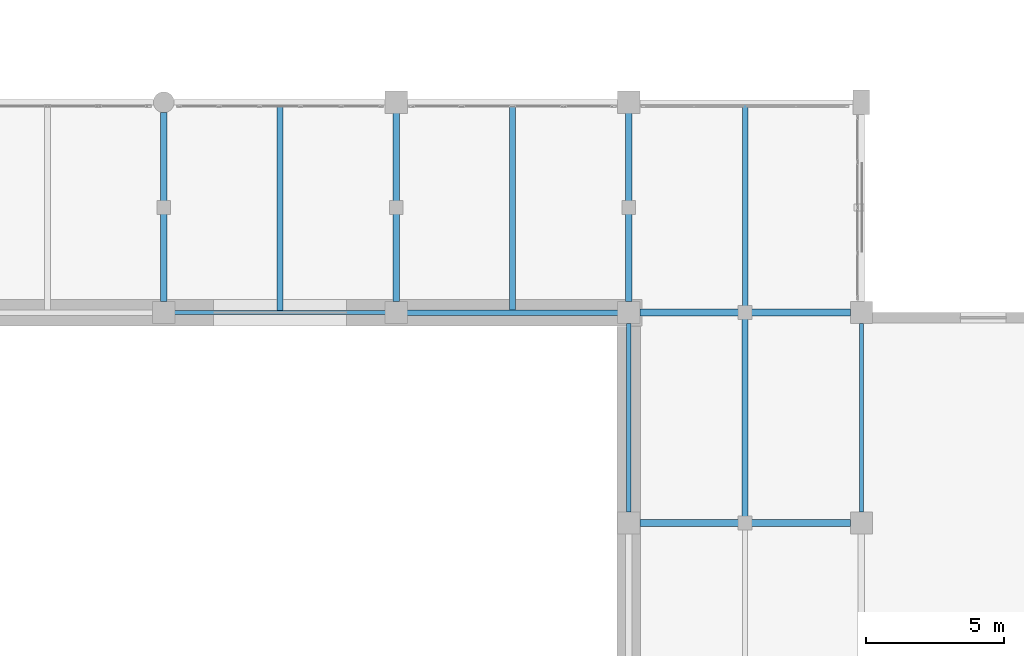
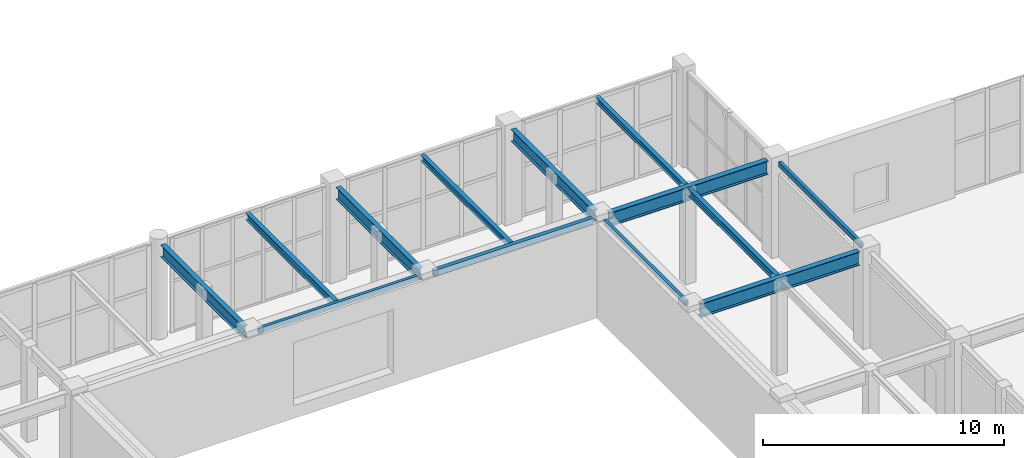
# One storey, part 65 of 128: 13 beams.
"""IFC4 building model written with IfcOpenShell, lengths in metres."""

from ifc_helpers import new_model, si_unit, direction, frame, origin, origin_2d, place, context, subcontext, project, spatial, hollow_rectangle, i_section, extrude, material, material_profile, profile_set, type_object, element, save


model = new_model("IFC4")

# Units and contexts
model_context = context("Model", 3, precision=1e-05, world=origin(), true_north=direction((0.0, 1.0)))
body_context = subcontext(model_context, "Body", "Model", "MODEL_VIEW")
ifc_project = project(units=[si_unit("LENGTHUNIT", "METRE"), si_unit("AREAUNIT", "SQUARE_METRE"), si_unit("VOLUMEUNIT", "CUBIC_METRE"), si_unit("PLANEANGLEUNIT", "RADIAN"), si_unit("MASSUNIT", "GRAM", prefix="KILO")], contexts=[model_context])

# Site, building, storey
site_placement = place(None, origin())
site = spatial("IfcSite", under=ifc_project, at=site_placement, CompositionType="ELEMENT")
building_placement = place(site_placement, origin())
building = spatial("IfcBuilding", under=site, at=building_placement, Name="Xicomal Pleat Aquarium", CompositionType="ELEMENT")
storey_placement = place(building_placement, frame((0.0, 0.0, 5.39990234375)))
storey = spatial("IfcBuildingStorey", under=building, at=storey_placement, Name="L02", CompositionType="ELEMENT", Elevation=5.39990234375)

# Beams
ifc_material_1 = material(Name="Structural steel A992 Gr 50", Category="steel")
ifc_material_profile_1 = material_profile(ifc_material_1, i_section(OverallWidth=0.202880859375, OverallDepth=0.302978515625, WebThickness=0.007568359375, FlangeThickness=0.01318359375, at=origin_2d()), Name="IR 310x60")
ifc_profile_set_1 = profile_set([ifc_material_profile_1], Name="Structural steel A992 Gr 50")
beam_type_1 = type_object("IfcBeamType", Name="BM-STL-IR310", PredefinedType="JOIST", material=ifc_profile_set_1)
beam_1_placement = place(storey_placement, frame((81.60009765625, 76.10302734375, 4.668701171875), z_axis=(0.0, 1.0, 0.0), x_axis=(-1.0, 0.0, 0.0)))
element("IfcBeam", 1, at=beam_1_placement, inside=storey, type_object=beam_type_1, Name="L02 framing beam FBJ-L02-10-L-1", PredefinedType="JOIST", context=body_context, shape_type="SweptSolid", body=[
    extrude(i_section(OverallWidth=0.202880859375, OverallDepth=0.302978515625, WebThickness=0.007568359375, FlangeThickness=0.01318359375, at=origin_2d()), origin(), (0.0, 0.0, 1.0), 7.39404296875),
])
beam_2_placement = place(storey_placement, frame((90.0, 76.131103515625, 4.668701171875), z_axis=(0.0, 1.0, 0.0), x_axis=(-1.0, 0.0, 0.0)))
element("IfcBeam", 2, at=beam_2_placement, inside=storey, type_object=beam_type_1, Name="L02 framing beam FBJ-L02-11-L-1", PredefinedType="JOIST", context=body_context, shape_type="SweptSolid", body=[
    extrude(i_section(OverallWidth=0.202880859375, OverallDepth=0.302978515625, WebThickness=0.007568359375, FlangeThickness=0.01318359375, at=origin_2d()), origin(), (0.0, 0.0, 1.0), 7.390869140625),
])
ifc_material_2 = material(Name="Structural steel A992 Gr 50", Category="steel")
ifc_material_profile_2 = material_profile(ifc_material_2, i_section(OverallWidth=0.205078125, OverallDepth=0.35400390625, WebThickness=0.009521484375, FlangeThickness=0.016845703125, at=origin_2d()), Name="IR 360x79")
ifc_profile_set_2 = profile_set([ifc_material_profile_2], Name="Structural steel A992 Gr 50")
beam_type_2 = type_object("IfcBeamType", Name="BM-STL-IR360", PredefinedType="JOIST", material=ifc_profile_set_2)
beam_3_placement = place(storey_placement, frame((73.199951171875, 76.077880859375, 4.64306640625), z_axis=(0.0, 1.0, 0.0), x_axis=(-1.0, 0.0, 0.0)))
element("IfcBeam", 3, at=beam_3_placement, inside=storey, type_object=beam_type_2, Name="L02 framing beam FBJ-L02-09-L-1", PredefinedType="JOIST", context=body_context, shape_type="SweptSolid", body=[
    extrude(i_section(OverallWidth=0.205078125, OverallDepth=0.35400390625, WebThickness=0.009521484375, FlangeThickness=0.016845703125, at=origin_2d()), origin(), (0.0, 0.0, 1.0), 7.422119140625),
])
beam_4_placement = place(storey_placement, frame((90.0, 68.531005859375, 4.64306640625), z_axis=(0.0, 1.0, 0.0), x_axis=(-1.0, 0.0, 0.0)))
element("IfcBeam", 4, at=beam_4_placement, inside=storey, type_object=beam_type_2, Name="L02 framing beam FBJ-L02-11-K-1", PredefinedType="JOIST", context=body_context, shape_type="SweptSolid", body=[
    extrude(i_section(OverallWidth=0.205078125, OverallDepth=0.35400390625, WebThickness=0.009521484375, FlangeThickness=0.016845703125, at=origin_2d()), origin(), (0.0, 0.0, 1.0), 7.337890625),
])
ifc_material_3 = material(Name="Structural steel A992 Gr 50", Category="steel")
ifc_material_profile_3 = material_profile(ifc_material_3, i_section(OverallWidth=0.22998046875, OverallDepth=0.616943359375, WebThickness=0.01318359375, FlangeThickness=0.022216796875, at=origin_2d()), Name="IR 610x140")
ifc_profile_set_3 = profile_set([ifc_material_profile_3], Name="Structural steel A992 Gr 50")
beam_type_3 = type_object("IfcBeamType", Name="BM-STL-IR610", PredefinedType="BEAM", material=ifc_profile_set_3)
beam_5_placement = place(storey_placement, frame((69.0, 76.39501953125, 4.51171875), z_axis=(0.0, 1.0, 0.0), x_axis=(-1.0, 0.0, 0.0)))
element("IfcBeam", 5, at=beam_5_placement, inside=storey, type_object=beam_type_3, Name="L02 framing beam FGY-L02-09-L-M", PredefinedType="BEAM", context=body_context, shape_type="SweptSolid", body=[
    extrude(i_section(OverallWidth=0.22998046875, OverallDepth=0.616943359375, WebThickness=0.01318359375, FlangeThickness=0.022216796875, at=origin_2d()), origin(), (0.0, 0.0, 1.0), 6.8349609375),
])
for number, where, z_axis, x_axis, name in (
    (6, (77.39990234375, 76.39501953125, 4.51171875), (0.0, 1.0, 0.0), (-1.0, 0.0, 0.0), "L02 framing beam FGY-L02-10-L-M"),
    (7, (85.800048828125, 76.39501953125, 4.51171875), (0.0, 1.0, 0.0), (-1.0, 0.0, 0.0), "L02 framing beam FGY-L02-11-L-M"),
):
    element("IfcBeam", number, at=place(storey_placement, frame(where, z_axis=z_axis, x_axis=x_axis)), inside=storey, type_object=beam_type_3, Name=name, PredefinedType="BEAM", context=body_context, shape_type="SweptSolid", body=[
        extrude(i_section(OverallWidth=0.22998046875, OverallDepth=0.616943359375, WebThickness=0.01318359375, FlangeThickness=0.022216796875, at=origin_2d()), origin(), (0.0, 0.0, 1.0), 6.81005859375),
    ])
ifc_material_4 = material(Name="Structural steel A992 Gr 50", Category="steel")
ifc_material_profile_4 = material_profile(ifc_material_4, i_section(OverallWidth=0.256103515625, OverallDepth=0.693115234375, WebThickness=0.014404296875, FlangeThickness=0.023681640625, at=origin_2d()), Name="IR 690x170")
ifc_profile_set_4 = profile_set([ifc_material_profile_4], Name="Structural steel A992 Gr 50")
beam_type_4 = type_object("IfcBeamType", Name="BM-STL-IR690", PredefinedType="BEAM", material=ifc_profile_set_4)
for number, where, z_axis, x_axis, name in (
    (8, (86.195068359375, 68.39990234375, 4.4736328125), (1.0, 0.0, 0.0), (0.0, 1.0, 0.0), "L02 framing beam FGX-L02-11-12-K"),
    (9, (86.195068359375, 76.0, 4.4736328125), (1.0, 0.0, 0.0), (0.0, 1.0, 0.0), "L02 framing beam FGX-L02-11-12-L"),
):
    element("IfcBeam", number, at=place(storey_placement, frame(where, z_axis=z_axis, x_axis=x_axis)), inside=storey, type_object=beam_type_4, Name=name, PredefinedType="BEAM", context=body_context, shape_type="SweptSolid", body=[
        extrude(i_section(OverallWidth=0.256103515625, OverallDepth=0.693115234375, WebThickness=0.014404296875, FlangeThickness=0.023681640625, at=origin_2d()), origin(), (0.0, 0.0, 1.0), 7.60986328125),
    ])
ifc_material_5 = material(Name="Structural steel A500 Gr C", Category="steel")
ifc_material_profile_5 = material_profile(ifc_material_5, hollow_rectangle(XDim=0.14990234375, YDim=0.25, WallThickness=0.010009765625, at=origin_2d()), Name="OR 250x150x10")
ifc_profile_set_5 = profile_set([ifc_material_profile_5], Name="Structural steel A500 Gr C")
beam_type_5 = type_object("IfcBeamType", Name="BM-STL-OR250", PredefinedType="SPANDREL", material=ifc_profile_set_5)
beam_6_placement = place(storey_placement, frame((69.39501953125, 76.0, 4.695068359375), z_axis=(1.0, 0.0, 0.0), x_axis=(0.0, 1.0, 0.0)))
element("IfcBeam", 10, at=beam_6_placement, inside=storey, type_object=beam_type_5, Name="L02 framing beam FGX-L02-09-10-L", PredefinedType="SPANDREL", context=body_context, shape_type="SweptSolid", body=[
    extrude(hollow_rectangle(XDim=0.14990234375, YDim=0.25, WallThickness=0.010009765625, at=origin_2d()), origin(), (0.0, 0.0, 1.0), 7.60986328125),
])
for number, where, z_axis, x_axis, name in (
    (11, (85.800048828125, 68.794921875, 4.695068359375), (0.0, 1.0, 0.0), (-1.0, 0.0, 0.0), "L02 framing beam FGY-L02-11-K-L"),
    (12, (94.199951171875, 68.794921875, 4.695068359375), (0.0, 1.0, 0.0), (-1.0, 0.0, 0.0), "L02 framing beam FGY-L02-12-K-L"),
):
    element("IfcBeam", number, at=place(storey_placement, frame(where, z_axis=z_axis, x_axis=x_axis)), inside=storey, type_object=beam_type_5, Name=name, PredefinedType="SPANDREL", context=body_context, shape_type="SweptSolid", body=[
        extrude(hollow_rectangle(XDim=0.14990234375, YDim=0.25, WallThickness=0.010009765625, at=origin_2d()), origin(), (0.0, 0.0, 1.0), 6.81005859375),
    ])
ifc_material_6 = material(Name="Structural steel A500 Gr C", Category="steel")
ifc_material_profile_6 = material_profile(ifc_material_6, hollow_rectangle(XDim=0.199951171875, YDim=0.300048828125, WallThickness=0.011962890625, at=origin_2d()), Name="OR 300x200x12")
ifc_profile_set_6 = profile_set([ifc_material_profile_6], Name="Structural steel A500 Gr C")
beam_type_6 = type_object("IfcBeamType", Name="BM-STL-OR300", PredefinedType="SPANDREL", material=ifc_profile_set_6)
beam_7_placement = place(storey_placement, frame((77.794921875, 76.0, 4.670166015625), z_axis=(1.0, 0.0, 0.0), x_axis=(0.0, 1.0, 0.0)))
element("IfcBeam", 13, at=beam_7_placement, inside=storey, type_object=beam_type_6, Name="L02 framing beam FGX-L02-10-11-L", PredefinedType="SPANDREL", context=body_context, shape_type="SweptSolid", body=[
    extrude(hollow_rectangle(XDim=0.199951171875, YDim=0.300048828125, WallThickness=0.011962890625, at=origin_2d()), origin(), (0.0, 0.0, 1.0), 7.610107421875),
])

save(model, "model.ifc")
